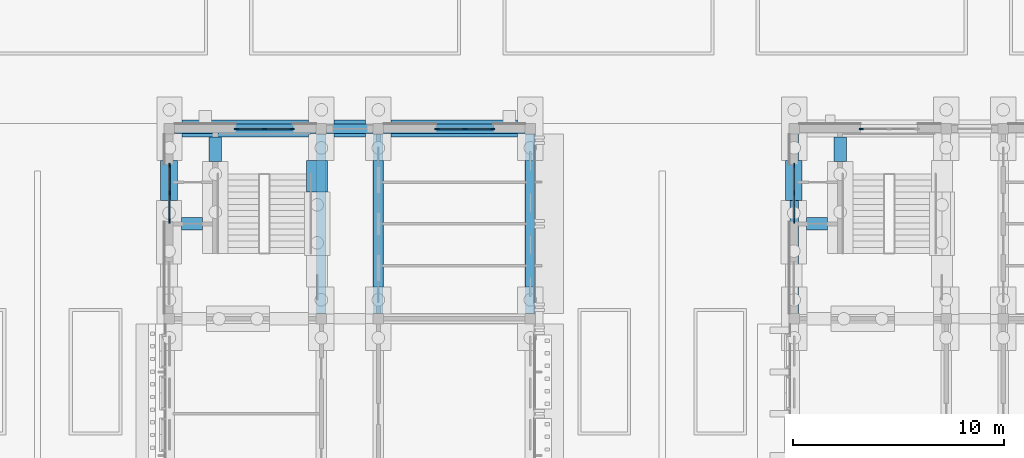
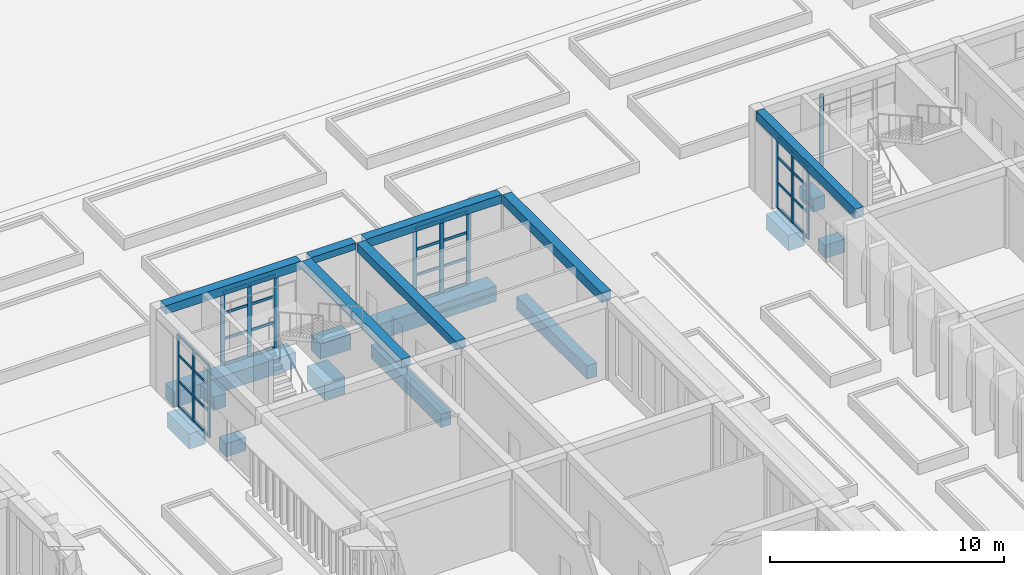
# One storey, part 38 of 161: 45 members, 19 beams, 5 elements without a shape of their own.
"""IFC4 building model written with IfcOpenShell, lengths in metres."""

from ifc_helpers import new_model, si_unit, direction, frame, origin, origin_2d, place, context, subcontext, project, spatial, rectangle, extrude, material, layer, layer_set, material_profile, profile_set, type_object, element, aggregate, save


model = new_model("IFC4")

# Units and contexts
model_context = context("Model", 3, precision=1e-05, world=origin(), true_north=direction((0.0, 1.0)))
body_context = subcontext(model_context, "Body", "Model", "MODEL_VIEW")
ifc_project = project(units=[si_unit("LENGTHUNIT", "METRE"), si_unit("AREAUNIT", "SQUARE_METRE"), si_unit("VOLUMEUNIT", "CUBIC_METRE"), si_unit("PLANEANGLEUNIT", "RADIAN"), si_unit("MASSUNIT", "GRAM", prefix="KILO")], contexts=[model_context])

# Site, building, storey
site_placement = place(None, origin())
site = spatial("IfcSite", under=ifc_project, at=site_placement, CompositionType="ELEMENT")
building_placement = place(site_placement, origin())
building = spatial("IfcBuilding", under=site, at=building_placement, Name="Elbe Cascade School", CompositionType="ELEMENT")
storey_placement = place(building_placement, origin())
storey = spatial("IfcBuildingStorey", under=building, at=storey_placement, Name="L00", CompositionType="ELEMENT", Elevation=0.0)

# Curtain wall, members
ifc_material_1 = material(Name="Aluminium frame with double glazing, bronze anodised", Category="aluminium")
ifc_layer = layer(ifc_material_1, 0.199951171875)
ifc_layer_set = layer_set([ifc_layer], Name="Aluminium frame with double glazing, bronze anodised")
curtain_wall_type = type_object("IfcCurtainWallType", Name="Bars envelope Curtain wall, aluminium, bronze anodised, ground floor tall run", PredefinedType="NOTDEFINED", material=ifc_layer_set)
curtain_wall_1_placement = place(storey_placement, origin())
curtain_wall_1 = element("IfcCurtainWall", 1, at=curtain_wall_1_placement, inside=storey, type_object=curtain_wall_type, Name="Curtain wall CW3 C.L00.w6", PredefinedType="NOTDEFINED")
ifc_material_2 = material(Name="Aluminium mullion, bronze anodised", Category="aluminium")
ifc_material_profile_1 = material_profile(ifc_material_2, rectangle(XDim=0.06005859375, YDim=0.199951171875, at=origin_2d()), Name="Bars envelope Curtain wall mullion 60 x 200, aluminium, ground floor tall run")
ifc_profile_set_1 = profile_set([ifc_material_profile_1], Name="Aluminium mullion, bronze anodised")
member_type_1 = type_object("IfcMemberType", Name="Bars envelope Curtain wall mullion 60 x 200, aluminium, ground floor tall run", PredefinedType="MULLION", material=ifc_profile_set_1)
member_1_placement = place(storey_placement, frame((128.199951171875, 55.639892578125, 0.0), z_axis=(0.0, 0.0, 1.0), x_axis=(-1.0, 0.0, 0.0)))
member_1 = element("IfcMember", 2, at=member_1_placement, type_object=member_type_1, Name="CW3 mullion 1", PredefinedType="MULLION", context=body_context, shape_type="SweptSolid", body=[
    extrude(rectangle(XDim=0.06005859375, YDim=0.199951171875, at=origin_2d()), origin(), (0.0, 0.0, 1.0), 3.75),
])
member_2_placement = place(storey_placement, frame((128.199951171875, 56.9599609375, 0.0), z_axis=(0.0, 0.0, 1.0), x_axis=(-1.0, 0.0, 0.0)))
member_2 = element("IfcMember", 3, at=member_2_placement, type_object=member_type_1, Name="CW3 mullion 2", PredefinedType="MULLION", context=body_context, shape_type="SweptSolid", body=[
    extrude(rectangle(XDim=0.06005859375, YDim=0.199951171875, at=origin_2d()), origin(), (0.0, 0.0, 1.0), 3.75),
])
member_3_placement = place(storey_placement, frame((128.199951171875, 58.280029296875, 0.0), z_axis=(0.0, 0.0, 1.0), x_axis=(-1.0, 0.0, 0.0)))
member_3 = element("IfcMember", 4, at=member_3_placement, type_object=member_type_1, Name="CW3 mullion 3", PredefinedType="MULLION", context=body_context, shape_type="SweptSolid", body=[
    extrude(rectangle(XDim=0.06005859375, YDim=0.199951171875, at=origin_2d()), origin(), (0.0, 0.0, 1.0), 3.75),
])

curtain_wall_2_placement = place(storey_placement, origin())
curtain_wall_2 = element("IfcCurtainWall", 5, at=curtain_wall_2_placement, inside=storey, type_object=curtain_wall_type, Name="Curtain wall CW3 C.L00.n1", PredefinedType="NOTDEFINED")
member_4_placement = place(storey_placement, frame((131.3798828125, 60.0, 0.0), z_axis=(0.0, 0.0, 1.0), x_axis=(0.0, 1.0, 0.0)))
member_4 = element("IfcMember", 6, at=member_4_placement, type_object=member_type_1, Name="CW3 mullion 1", PredefinedType="MULLION", context=body_context, shape_type="SweptSolid", body=[
    extrude(rectangle(XDim=0.06005859375, YDim=0.199951171875, at=origin_2d()), origin(), (0.0, 0.0, 1.0), 3.800048828125),
])
member_5_placement = place(storey_placement, frame((132.699951171875, 60.0, 0.0), z_axis=(0.0, 0.0, 1.0), x_axis=(0.0, 1.0, 0.0)))
member_5 = element("IfcMember", 7, at=member_5_placement, type_object=member_type_1, Name="CW3 mullion 2", PredefinedType="MULLION", context=body_context, shape_type="SweptSolid", body=[
    extrude(rectangle(XDim=0.06005859375, YDim=0.199951171875, at=origin_2d()), origin(), (0.0, 0.0, 1.0), 3.800048828125),
])
member_6_placement = place(storey_placement, frame((134.02001953125, 60.0, 0.0), z_axis=(0.0, 0.0, 1.0), x_axis=(0.0, 1.0, 0.0)))
member_6 = element("IfcMember", 8, at=member_6_placement, type_object=member_type_1, Name="CW3 mullion 3", PredefinedType="MULLION", context=body_context, shape_type="SweptSolid", body=[
    extrude(rectangle(XDim=0.06005859375, YDim=0.199951171875, at=origin_2d()), origin(), (0.0, 0.0, 1.0), 3.800048828125),
])

curtain_wall_3_placement = place(storey_placement, origin())
curtain_wall_3 = element("IfcCurtainWall", 9, at=curtain_wall_3_placement, inside=storey, type_object=curtain_wall_type, Name="Curtain wall CW3 C.L00.n3", PredefinedType="NOTDEFINED")
member_7_placement = place(storey_placement, frame((140.8798828125, 60.0, 0.0), z_axis=(0.0, 0.0, 1.0), x_axis=(0.0, 1.0, 0.0)))
member_7 = element("IfcMember", 10, at=member_7_placement, type_object=member_type_1, Name="CW3 mullion 1", PredefinedType="MULLION", context=body_context, shape_type="SweptSolid", body=[
    extrude(rectangle(XDim=0.06005859375, YDim=0.199951171875, at=origin_2d()), origin(), (0.0, 0.0, 1.0), 3.800048828125),
])
member_8_placement = place(storey_placement, frame((142.199951171875, 60.0, 0.0), z_axis=(0.0, 0.0, 1.0), x_axis=(0.0, 1.0, 0.0)))
member_8 = element("IfcMember", 11, at=member_8_placement, type_object=member_type_1, Name="CW3 mullion 2", PredefinedType="MULLION", context=body_context, shape_type="SweptSolid", body=[
    extrude(rectangle(XDim=0.06005859375, YDim=0.199951171875, at=origin_2d()), origin(), (0.0, 0.0, 1.0), 3.800048828125),
])
member_9_placement = place(storey_placement, frame((143.52001953125, 60.0, 0.0), z_axis=(0.0, 0.0, 1.0), x_axis=(0.0, 1.0, 0.0)))
member_9 = element("IfcMember", 12, at=member_9_placement, type_object=member_type_1, Name="CW3 mullion 3", PredefinedType="MULLION", context=body_context, shape_type="SweptSolid", body=[
    extrude(rectangle(XDim=0.06005859375, YDim=0.199951171875, at=origin_2d()), origin(), (0.0, 0.0, 1.0), 3.800048828125),
])

curtain_wall_4_placement = place(storey_placement, origin())
curtain_wall_4 = element("IfcCurtainWall", 13, at=curtain_wall_4_placement, inside=storey, type_object=curtain_wall_type, Name="Curtain wall CW3 D.L00.w6", PredefinedType="NOTDEFINED")
member_10_placement = place(storey_placement, frame((157.800048828125, 55.639892578125, 0.0), z_axis=(0.0, 0.0, 1.0), x_axis=(-1.0, 0.0, 0.0)))
member_10 = element("IfcMember", 14, at=member_10_placement, type_object=member_type_1, Name="CW3 mullion 1", PredefinedType="MULLION", context=body_context, shape_type="SweptSolid", body=[
    extrude(rectangle(XDim=0.06005859375, YDim=0.199951171875, at=origin_2d()), origin(), (0.0, 0.0, 1.0), 3.75),
])
member_11_placement = place(storey_placement, frame((157.800048828125, 56.9599609375, 0.0), z_axis=(0.0, 0.0, 1.0), x_axis=(-1.0, 0.0, 0.0)))
member_11 = element("IfcMember", 15, at=member_11_placement, type_object=member_type_1, Name="CW3 mullion 2", PredefinedType="MULLION", context=body_context, shape_type="SweptSolid", body=[
    extrude(rectangle(XDim=0.06005859375, YDim=0.199951171875, at=origin_2d()), origin(), (0.0, 0.0, 1.0), 3.75),
])
member_12_placement = place(storey_placement, frame((157.800048828125, 58.280029296875, 0.0), z_axis=(0.0, 0.0, 1.0), x_axis=(-1.0, 0.0, 0.0)))
member_12 = element("IfcMember", 16, at=member_12_placement, type_object=member_type_1, Name="CW3 mullion 3", PredefinedType="MULLION", context=body_context, shape_type="SweptSolid", body=[
    extrude(rectangle(XDim=0.06005859375, YDim=0.199951171875, at=origin_2d()), origin(), (0.0, 0.0, 1.0), 3.75),
])

# Curtain wall, member
curtain_wall_5_placement = place(storey_placement, origin())
curtain_wall_5 = element("IfcCurtainWall", 17, at=curtain_wall_5_placement, inside=storey, type_object=curtain_wall_type, Name="Curtain wall CW3 D.L00.n1", PredefinedType="NOTDEFINED")
member_13_placement = place(storey_placement, frame((160.97998046875, 60.0, 0.0), z_axis=(0.0, 0.0, 1.0), x_axis=(0.0, 1.0, 0.0)))
member_13 = element("IfcMember", 18, at=member_13_placement, type_object=member_type_1, Name="CW3 mullion 1", PredefinedType="MULLION", context=body_context, shape_type="SweptSolid", body=[
    extrude(rectangle(XDim=0.06005859375, YDim=0.199951171875, at=origin_2d()), origin(), (0.0, 0.0, 1.0), 3.800048828125),
])
aggregate(curtain_wall_5, [member_13])

# Member
ifc_material_3 = material(Name="Aluminium transom, bronze anodised", Category="aluminium")
ifc_material_profile_2 = material_profile(ifc_material_3, rectangle(XDim=0.06005859375, YDim=0.139892578125, at=origin_2d()), Name="Bars envelope Curtain wall transom 60 x 140, aluminium, ground floor tall run")
ifc_profile_set_2 = profile_set([ifc_material_profile_2], Name="Aluminium transom, bronze anodised")
member_type_2 = type_object("IfcMemberType", Name="Bars envelope Curtain wall transom 60 x 140, aluminium, ground floor tall run", PredefinedType="USERDEFINED", material=ifc_profile_set_2)
member_14_placement = place(storey_placement, frame((128.199951171875, 55.669921875, 0.030029296875), z_axis=(0.0, 1.0, 0.0), x_axis=(-1.0, 0.0, 0.0)))
member_14 = element("IfcMember", 19, at=member_14_placement, type_object=member_type_2, Name="CW3 transom 1.1", ObjectType="TRANSOM", PredefinedType="USERDEFINED", context=body_context, shape_type="SweptSolid", body=[
    extrude(rectangle(XDim=0.06005859375, YDim=0.139892578125, at=origin_2d()), origin(), (0.0, 0.0, 1.0), 1.260009765625),
])

member_15_placement = place(storey_placement, frame((128.199951171875, 55.669921875, 1.35009765625), z_axis=(0.0, 1.0, 0.0), x_axis=(-1.0, 0.0, 0.0)))
member_15 = element("IfcMember", 20, at=member_15_placement, type_object=member_type_2, Name="CW3 transom 1.2", ObjectType="TRANSOM", PredefinedType="USERDEFINED", context=body_context, shape_type="SweptSolid", body=[
    extrude(rectangle(XDim=0.06005859375, YDim=0.139892578125, at=origin_2d()), origin(), (0.0, 0.0, 1.0), 1.260009765625),
])

member_16_placement = place(storey_placement, frame((128.199951171875, 55.669921875, 2.699951171875), z_axis=(0.0, 1.0, 0.0), x_axis=(-1.0, 0.0, 0.0)))
member_16 = element("IfcMember", 21, at=member_16_placement, type_object=member_type_2, Name="CW3 transom 1.3", ObjectType="TRANSOM", PredefinedType="USERDEFINED", context=body_context, shape_type="SweptSolid", body=[
    extrude(rectangle(XDim=0.06005859375, YDim=0.139892578125, at=origin_2d()), origin(), (0.0, 0.0, 1.0), 1.260009765625),
])

member_17_placement = place(storey_placement, frame((128.199951171875, 55.669921875, 3.719970703125), z_axis=(0.0, 1.0, 0.0), x_axis=(-1.0, 0.0, 0.0)))
member_17 = element("IfcMember", 22, at=member_17_placement, type_object=member_type_2, Name="CW3 transom 1.4", ObjectType="TRANSOM", PredefinedType="USERDEFINED", context=body_context, shape_type="SweptSolid", body=[
    extrude(rectangle(XDim=0.06005859375, YDim=0.139892578125, at=origin_2d()), origin(), (0.0, 0.0, 1.0), 1.260009765625),
])

member_18_placement = place(storey_placement, frame((128.199951171875, 56.989990234375, 0.030029296875), z_axis=(0.0, 1.0, 0.0), x_axis=(-1.0, 0.0, 0.0)))
member_18 = element("IfcMember", 23, at=member_18_placement, type_object=member_type_2, Name="CW3 transom 2.1", ObjectType="TRANSOM", PredefinedType="USERDEFINED", context=body_context, shape_type="SweptSolid", body=[
    extrude(rectangle(XDim=0.06005859375, YDim=0.139892578125, at=origin_2d()), origin(), (0.0, 0.0, 1.0), 1.260009765625),
])

member_19_placement = place(storey_placement, frame((128.199951171875, 56.989990234375, 1.35009765625), z_axis=(0.0, 1.0, 0.0), x_axis=(-1.0, 0.0, 0.0)))
member_19 = element("IfcMember", 24, at=member_19_placement, type_object=member_type_2, Name="CW3 transom 2.2", ObjectType="TRANSOM", PredefinedType="USERDEFINED", context=body_context, shape_type="SweptSolid", body=[
    extrude(rectangle(XDim=0.06005859375, YDim=0.139892578125, at=origin_2d()), origin(), (0.0, 0.0, 1.0), 1.260009765625),
])

member_20_placement = place(storey_placement, frame((128.199951171875, 56.989990234375, 2.699951171875), z_axis=(0.0, 1.0, 0.0), x_axis=(-1.0, 0.0, 0.0)))
member_20 = element("IfcMember", 25, at=member_20_placement, type_object=member_type_2, Name="CW3 transom 2.3", ObjectType="TRANSOM", PredefinedType="USERDEFINED", context=body_context, shape_type="SweptSolid", body=[
    extrude(rectangle(XDim=0.06005859375, YDim=0.139892578125, at=origin_2d()), origin(), (0.0, 0.0, 1.0), 1.260009765625),
])

member_21_placement = place(storey_placement, frame((128.199951171875, 56.989990234375, 3.719970703125), z_axis=(0.0, 1.0, 0.0), x_axis=(-1.0, 0.0, 0.0)))
member_21 = element("IfcMember", 26, at=member_21_placement, type_object=member_type_2, Name="CW3 transom 2.4", ObjectType="TRANSOM", PredefinedType="USERDEFINED", context=body_context, shape_type="SweptSolid", body=[
    extrude(rectangle(XDim=0.06005859375, YDim=0.139892578125, at=origin_2d()), origin(), (0.0, 0.0, 1.0), 1.260009765625),
])

aggregate(curtain_wall_1, [member_1, member_2, member_3, member_14, member_15, member_16, member_17, member_18, member_19, member_20, member_21])

member_22_placement = place(storey_placement, frame((131.409912109375, 60.0, 0.030029296875), z_axis=(1.0, 0.0, 0.0), x_axis=(0.0, 1.0, 0.0)))
member_22 = element("IfcMember", 27, at=member_22_placement, type_object=member_type_2, Name="CW3 transom 1.1", ObjectType="TRANSOM", PredefinedType="USERDEFINED", context=body_context, shape_type="SweptSolid", body=[
    extrude(rectangle(XDim=0.06005859375, YDim=0.139892578125, at=origin_2d()), origin(), (0.0, 0.0, 1.0), 1.260009765625),
])

member_23_placement = place(storey_placement, frame((131.409912109375, 60.0, 1.35009765625), z_axis=(1.0, 0.0, 0.0), x_axis=(0.0, 1.0, 0.0)))
member_23 = element("IfcMember", 28, at=member_23_placement, type_object=member_type_2, Name="CW3 transom 1.2", ObjectType="TRANSOM", PredefinedType="USERDEFINED", context=body_context, shape_type="SweptSolid", body=[
    extrude(rectangle(XDim=0.06005859375, YDim=0.139892578125, at=origin_2d()), origin(), (0.0, 0.0, 1.0), 1.260009765625),
])

member_24_placement = place(storey_placement, frame((131.409912109375, 60.0, 2.699951171875), z_axis=(1.0, 0.0, 0.0), x_axis=(0.0, 1.0, 0.0)))
member_24 = element("IfcMember", 29, at=member_24_placement, type_object=member_type_2, Name="CW3 transom 1.3", ObjectType="TRANSOM", PredefinedType="USERDEFINED", context=body_context, shape_type="SweptSolid", body=[
    extrude(rectangle(XDim=0.06005859375, YDim=0.139892578125, at=origin_2d()), origin(), (0.0, 0.0, 1.0), 1.260009765625),
])

member_25_placement = place(storey_placement, frame((131.409912109375, 60.0, 3.77001953125), z_axis=(1.0, 0.0, 0.0), x_axis=(0.0, 1.0, 0.0)))
member_25 = element("IfcMember", 30, at=member_25_placement, type_object=member_type_2, Name="CW3 transom 1.4", ObjectType="TRANSOM", PredefinedType="USERDEFINED", context=body_context, shape_type="SweptSolid", body=[
    extrude(rectangle(XDim=0.06005859375, YDim=0.139892578125, at=origin_2d()), origin(), (0.0, 0.0, 1.0), 1.260009765625),
])

member_26_placement = place(storey_placement, frame((132.72998046875, 60.0, 0.030029296875), z_axis=(1.0, 0.0, 0.0), x_axis=(0.0, 1.0, 0.0)))
member_26 = element("IfcMember", 31, at=member_26_placement, type_object=member_type_2, Name="CW3 transom 2.1", ObjectType="TRANSOM", PredefinedType="USERDEFINED", context=body_context, shape_type="SweptSolid", body=[
    extrude(rectangle(XDim=0.06005859375, YDim=0.139892578125, at=origin_2d()), origin(), (0.0, 0.0, 1.0), 1.260009765625),
])

member_27_placement = place(storey_placement, frame((132.72998046875, 60.0, 1.35009765625), z_axis=(1.0, 0.0, 0.0), x_axis=(0.0, 1.0, 0.0)))
member_27 = element("IfcMember", 32, at=member_27_placement, type_object=member_type_2, Name="CW3 transom 2.2", ObjectType="TRANSOM", PredefinedType="USERDEFINED", context=body_context, shape_type="SweptSolid", body=[
    extrude(rectangle(XDim=0.06005859375, YDim=0.139892578125, at=origin_2d()), origin(), (0.0, 0.0, 1.0), 1.260009765625),
])

member_28_placement = place(storey_placement, frame((132.72998046875, 60.0, 2.699951171875), z_axis=(1.0, 0.0, 0.0), x_axis=(0.0, 1.0, 0.0)))
member_28 = element("IfcMember", 33, at=member_28_placement, type_object=member_type_2, Name="CW3 transom 2.3", ObjectType="TRANSOM", PredefinedType="USERDEFINED", context=body_context, shape_type="SweptSolid", body=[
    extrude(rectangle(XDim=0.06005859375, YDim=0.139892578125, at=origin_2d()), origin(), (0.0, 0.0, 1.0), 1.260009765625),
])

member_29_placement = place(storey_placement, frame((132.72998046875, 60.0, 3.77001953125), z_axis=(1.0, 0.0, 0.0), x_axis=(0.0, 1.0, 0.0)))
member_29 = element("IfcMember", 34, at=member_29_placement, type_object=member_type_2, Name="CW3 transom 2.4", ObjectType="TRANSOM", PredefinedType="USERDEFINED", context=body_context, shape_type="SweptSolid", body=[
    extrude(rectangle(XDim=0.06005859375, YDim=0.139892578125, at=origin_2d()), origin(), (0.0, 0.0, 1.0), 1.260009765625),
])

aggregate(curtain_wall_2, [member_4, member_5, member_6, member_22, member_23, member_24, member_25, member_26, member_27, member_28, member_29])

member_30_placement = place(storey_placement, frame((140.909912109375, 60.0, 0.030029296875), z_axis=(1.0, 0.0, 0.0), x_axis=(0.0, 1.0, 0.0)))
member_30 = element("IfcMember", 35, at=member_30_placement, type_object=member_type_2, Name="CW3 transom 1.1", ObjectType="TRANSOM", PredefinedType="USERDEFINED", context=body_context, shape_type="SweptSolid", body=[
    extrude(rectangle(XDim=0.06005859375, YDim=0.139892578125, at=origin_2d()), origin(), (0.0, 0.0, 1.0), 1.260009765625),
])

member_31_placement = place(storey_placement, frame((140.909912109375, 60.0, 1.35009765625), z_axis=(1.0, 0.0, 0.0), x_axis=(0.0, 1.0, 0.0)))
member_31 = element("IfcMember", 36, at=member_31_placement, type_object=member_type_2, Name="CW3 transom 1.2", ObjectType="TRANSOM", PredefinedType="USERDEFINED", context=body_context, shape_type="SweptSolid", body=[
    extrude(rectangle(XDim=0.06005859375, YDim=0.139892578125, at=origin_2d()), origin(), (0.0, 0.0, 1.0), 1.260009765625),
])

member_32_placement = place(storey_placement, frame((140.909912109375, 60.0, 2.699951171875), z_axis=(1.0, 0.0, 0.0), x_axis=(0.0, 1.0, 0.0)))
member_32 = element("IfcMember", 37, at=member_32_placement, type_object=member_type_2, Name="CW3 transom 1.3", ObjectType="TRANSOM", PredefinedType="USERDEFINED", context=body_context, shape_type="SweptSolid", body=[
    extrude(rectangle(XDim=0.06005859375, YDim=0.139892578125, at=origin_2d()), origin(), (0.0, 0.0, 1.0), 1.260009765625),
])

member_33_placement = place(storey_placement, frame((140.909912109375, 60.0, 3.77001953125), z_axis=(1.0, 0.0, 0.0), x_axis=(0.0, 1.0, 0.0)))
member_33 = element("IfcMember", 38, at=member_33_placement, type_object=member_type_2, Name="CW3 transom 1.4", ObjectType="TRANSOM", PredefinedType="USERDEFINED", context=body_context, shape_type="SweptSolid", body=[
    extrude(rectangle(XDim=0.06005859375, YDim=0.139892578125, at=origin_2d()), origin(), (0.0, 0.0, 1.0), 1.260009765625),
])

member_34_placement = place(storey_placement, frame((142.22998046875, 60.0, 0.030029296875), z_axis=(1.0, 0.0, 0.0), x_axis=(0.0, 1.0, 0.0)))
member_34 = element("IfcMember", 39, at=member_34_placement, type_object=member_type_2, Name="CW3 transom 2.1", ObjectType="TRANSOM", PredefinedType="USERDEFINED", context=body_context, shape_type="SweptSolid", body=[
    extrude(rectangle(XDim=0.06005859375, YDim=0.139892578125, at=origin_2d()), origin(), (0.0, 0.0, 1.0), 1.260009765625),
])

member_35_placement = place(storey_placement, frame((142.22998046875, 60.0, 1.35009765625), z_axis=(1.0, 0.0, 0.0), x_axis=(0.0, 1.0, 0.0)))
member_35 = element("IfcMember", 40, at=member_35_placement, type_object=member_type_2, Name="CW3 transom 2.2", ObjectType="TRANSOM", PredefinedType="USERDEFINED", context=body_context, shape_type="SweptSolid", body=[
    extrude(rectangle(XDim=0.06005859375, YDim=0.139892578125, at=origin_2d()), origin(), (0.0, 0.0, 1.0), 1.260009765625),
])

member_36_placement = place(storey_placement, frame((142.22998046875, 60.0, 2.699951171875), z_axis=(1.0, 0.0, 0.0), x_axis=(0.0, 1.0, 0.0)))
member_36 = element("IfcMember", 41, at=member_36_placement, type_object=member_type_2, Name="CW3 transom 2.3", ObjectType="TRANSOM", PredefinedType="USERDEFINED", context=body_context, shape_type="SweptSolid", body=[
    extrude(rectangle(XDim=0.06005859375, YDim=0.139892578125, at=origin_2d()), origin(), (0.0, 0.0, 1.0), 1.260009765625),
])

member_37_placement = place(storey_placement, frame((142.22998046875, 60.0, 3.77001953125), z_axis=(1.0, 0.0, 0.0), x_axis=(0.0, 1.0, 0.0)))
member_37 = element("IfcMember", 42, at=member_37_placement, type_object=member_type_2, Name="CW3 transom 2.4", ObjectType="TRANSOM", PredefinedType="USERDEFINED", context=body_context, shape_type="SweptSolid", body=[
    extrude(rectangle(XDim=0.06005859375, YDim=0.139892578125, at=origin_2d()), origin(), (0.0, 0.0, 1.0), 1.260009765625),
])

aggregate(curtain_wall_3, [member_7, member_8, member_9, member_30, member_31, member_32, member_33, member_34, member_35, member_36, member_37])

member_38_placement = place(storey_placement, frame((157.800048828125, 55.669921875, 0.030029296875), z_axis=(0.0, 1.0, 0.0), x_axis=(-1.0, 0.0, 0.0)))
member_38 = element("IfcMember", 43, at=member_38_placement, type_object=member_type_2, Name="CW3 transom 1.1", ObjectType="TRANSOM", PredefinedType="USERDEFINED", context=body_context, shape_type="SweptSolid", body=[
    extrude(rectangle(XDim=0.06005859375, YDim=0.139892578125, at=origin_2d()), origin(), (0.0, 0.0, 1.0), 1.260009765625),
])

member_39_placement = place(storey_placement, frame((157.800048828125, 55.669921875, 1.35009765625), z_axis=(0.0, 1.0, 0.0), x_axis=(-1.0, 0.0, 0.0)))
member_39 = element("IfcMember", 44, at=member_39_placement, type_object=member_type_2, Name="CW3 transom 1.2", ObjectType="TRANSOM", PredefinedType="USERDEFINED", context=body_context, shape_type="SweptSolid", body=[
    extrude(rectangle(XDim=0.06005859375, YDim=0.139892578125, at=origin_2d()), origin(), (0.0, 0.0, 1.0), 1.260009765625),
])

member_40_placement = place(storey_placement, frame((157.800048828125, 55.669921875, 2.699951171875), z_axis=(0.0, 1.0, 0.0), x_axis=(-1.0, 0.0, 0.0)))
member_40 = element("IfcMember", 45, at=member_40_placement, type_object=member_type_2, Name="CW3 transom 1.3", ObjectType="TRANSOM", PredefinedType="USERDEFINED", context=body_context, shape_type="SweptSolid", body=[
    extrude(rectangle(XDim=0.06005859375, YDim=0.139892578125, at=origin_2d()), origin(), (0.0, 0.0, 1.0), 1.260009765625),
])

member_41_placement = place(storey_placement, frame((157.800048828125, 55.669921875, 3.719970703125), z_axis=(0.0, 1.0, 0.0), x_axis=(-1.0, 0.0, 0.0)))
member_41 = element("IfcMember", 46, at=member_41_placement, type_object=member_type_2, Name="CW3 transom 1.4", ObjectType="TRANSOM", PredefinedType="USERDEFINED", context=body_context, shape_type="SweptSolid", body=[
    extrude(rectangle(XDim=0.06005859375, YDim=0.139892578125, at=origin_2d()), origin(), (0.0, 0.0, 1.0), 1.260009765625),
])

member_42_placement = place(storey_placement, frame((157.800048828125, 56.989990234375, 0.030029296875), z_axis=(0.0, 1.0, 0.0), x_axis=(-1.0, 0.0, 0.0)))
member_42 = element("IfcMember", 47, at=member_42_placement, type_object=member_type_2, Name="CW3 transom 2.1", ObjectType="TRANSOM", PredefinedType="USERDEFINED", context=body_context, shape_type="SweptSolid", body=[
    extrude(rectangle(XDim=0.06005859375, YDim=0.139892578125, at=origin_2d()), origin(), (0.0, 0.0, 1.0), 1.260009765625),
])

member_43_placement = place(storey_placement, frame((157.800048828125, 56.989990234375, 1.35009765625), z_axis=(0.0, 1.0, 0.0), x_axis=(-1.0, 0.0, 0.0)))
member_43 = element("IfcMember", 48, at=member_43_placement, type_object=member_type_2, Name="CW3 transom 2.2", ObjectType="TRANSOM", PredefinedType="USERDEFINED", context=body_context, shape_type="SweptSolid", body=[
    extrude(rectangle(XDim=0.06005859375, YDim=0.139892578125, at=origin_2d()), origin(), (0.0, 0.0, 1.0), 1.260009765625),
])

member_44_placement = place(storey_placement, frame((157.800048828125, 56.989990234375, 2.699951171875), z_axis=(0.0, 1.0, 0.0), x_axis=(-1.0, 0.0, 0.0)))
member_44 = element("IfcMember", 49, at=member_44_placement, type_object=member_type_2, Name="CW3 transom 2.3", ObjectType="TRANSOM", PredefinedType="USERDEFINED", context=body_context, shape_type="SweptSolid", body=[
    extrude(rectangle(XDim=0.06005859375, YDim=0.139892578125, at=origin_2d()), origin(), (0.0, 0.0, 1.0), 1.260009765625),
])

member_45_placement = place(storey_placement, frame((157.800048828125, 56.989990234375, 3.719970703125), z_axis=(0.0, 1.0, 0.0), x_axis=(-1.0, 0.0, 0.0)))
member_45 = element("IfcMember", 50, at=member_45_placement, type_object=member_type_2, Name="CW3 transom 2.4", ObjectType="TRANSOM", PredefinedType="USERDEFINED", context=body_context, shape_type="SweptSolid", body=[
    extrude(rectangle(XDim=0.06005859375, YDim=0.139892578125, at=origin_2d()), origin(), (0.0, 0.0, 1.0), 1.260009765625),
])

aggregate(curtain_wall_4, [member_10, member_11, member_12, member_38, member_39, member_40, member_41, member_42, member_43, member_44, member_45])

# Beams
ifc_material_4 = material(Name="Concrete C30/37", Category="concrete")
ifc_material_profile_3 = material_profile(ifc_material_4, rectangle(XDim=1.0, YDim=0.89990234375, at=origin_2d()), Name="RC 1000x900")
ifc_profile_set_3 = profile_set([ifc_material_profile_3], Name="Concrete C30/37")
beam_type_1 = type_object("IfcBeamType", Name="Found ground beam RC 1000x900", PredefinedType="BEAM", material=ifc_profile_set_3)
beam_1_placement = place(storey_placement, frame((135.199951171875, 57.0, -0.75), z_axis=(0.0, 1.0, 0.0), x_axis=(-1.0, 0.0, 0.0)))
element("IfcBeam", 51, at=beam_1_placement, inside=storey, type_object=beam_type_1, Name="Ground beam 045", PredefinedType="BEAM", context=body_context, shape_type="SweptSolid", body=[
    extrude(rectangle(XDim=1.0, YDim=0.89990234375, at=origin_2d()), origin(), (0.0, 0.0, 1.0), 1.5),
])
ifc_material_5 = material(Name="Concrete C30/37", Category="concrete")
ifc_material_profile_4 = material_profile(ifc_material_5, rectangle(XDim=0.5, YDim=0.699951171875, at=origin_2d()), Name="RC 500x700")
ifc_profile_set_4 = profile_set([ifc_material_profile_4], Name="Concrete C30/37")
beam_type_2 = type_object("IfcBeamType", Name="Found ground beam RC 500x700", PredefinedType="BEAM", material=ifc_profile_set_4)
for number, where, z_axis, x_axis, name in (
    (52, (138.10009765625, 52.5, -0.64990234375), (0.0, 1.0, 0.0), (-1.0, 0.0, 0.0), "Ground beam 279"),
    (53, (145.300048828125, 52.5, -0.64990234375), (0.0, 1.0, 0.0), (-1.0, 0.0, 0.0), "Ground beam 285"),
):
    element("IfcBeam", number, at=place(storey_placement, frame(where, z_axis=z_axis, x_axis=x_axis)), inside=storey, type_object=beam_type_2, Name=name, PredefinedType="BEAM", context=body_context, shape_type="SweptSolid", body=[
        extrude(rectangle(XDim=0.5, YDim=0.699951171875, at=origin_2d()), origin(), (0.0, 0.0, 1.0), 6.0),
    ])
ifc_material_6 = material(Name="Concrete C30/37", Category="concrete")
ifc_material_profile_5 = material_profile(ifc_material_6, rectangle(XDim=0.60009765625, YDim=0.699951171875, at=origin_2d()), Name="RC 600x700")
ifc_profile_set_5 = profile_set([ifc_material_profile_5], Name="Concrete C30/37")
beam_type_3 = type_object("IfcBeamType", Name="Found ground beam RC 600x700", PredefinedType="BEAM", material=ifc_profile_set_5)
for number, where, z_axis, x_axis, name in (
    (54, (130.375, 58.4599609375, -0.64990234375), (0.0, 1.0, 0.0), (-1.0, 0.0, 0.0), "Ground beam 162"),
    (55, (159.97509765625, 58.4599609375, -0.64990234375), (0.0, 1.0, 0.0), (-1.0, 0.0, 0.0), "Ground beam 163"),
):
    element("IfcBeam", number, at=place(storey_placement, frame(where, z_axis=z_axis, x_axis=x_axis)), inside=storey, type_object=beam_type_3, Name=name, PredefinedType="BEAM", context=body_context, shape_type="SweptSolid", body=[
        extrude(rectangle(XDim=0.60009765625, YDim=0.699951171875, at=origin_2d()), origin(), (0.0, 0.0, 1.0), 1.16015625),
    ])
beam_2_placement = place(storey_placement, frame((128.780029296875, 55.5, -0.64990234375), z_axis=(1.0, 0.0, 0.0), x_axis=(0.0, 1.0, 0.0)))
element("IfcBeam", 56, at=beam_2_placement, inside=storey, type_object=beam_type_3, Name="Ground beam 171", PredefinedType="BEAM", context=body_context, shape_type="SweptSolid", body=[
    extrude(rectangle(XDim=0.60009765625, YDim=0.699951171875, at=origin_2d()), origin(), (0.0, 0.0, 1.0), 0.994873046875),
])
beam_3_placement = place(storey_placement, frame((158.3798828125, 55.5, -0.64990234375), z_axis=(1.0, 0.0, 0.0), x_axis=(0.0, 1.0, 0.0)))
element("IfcBeam", 57, at=beam_3_placement, inside=storey, type_object=beam_type_3, Name="Ground beam 173", PredefinedType="BEAM", context=body_context, shape_type="SweptSolid", body=[
    extrude(rectangle(XDim=0.60009765625, YDim=0.699951171875, at=origin_2d()), origin(), (0.0, 0.0, 1.0), 0.9951171875),
])
ifc_material_7 = material(Name="Concrete C30/37", Category="concrete")
ifc_material_profile_6 = material_profile(ifc_material_7, rectangle(XDim=0.800048828125, YDim=0.800048828125, at=origin_2d()), Name="RC 800x800")
ifc_profile_set_6 = profile_set([ifc_material_profile_6], Name="Concrete C30/37")
beam_type_4 = type_object("IfcBeamType", Name="Found ground beam RC 800x800", PredefinedType="BEAM", material=ifc_profile_set_6)
beam_4_placement = place(storey_placement, frame((128.800048828125, 60.02001953125, -0.699951171875), z_axis=(1.0, 0.0, 0.0), x_axis=(0.0, 1.0, 0.0)))
element("IfcBeam", 58, at=beam_4_placement, inside=storey, type_object=beam_type_4, Name="Ground beam 056", PredefinedType="BEAM", context=body_context, shape_type="SweptSolid", body=[
    extrude(rectangle(XDim=0.800048828125, YDim=0.800048828125, at=origin_2d()), origin(), (0.0, 0.0, 1.0), 6.0),
])
beam_5_placement = place(storey_placement, frame((136.0, 60.02001953125, -0.699951171875), z_axis=(1.0, 0.0, 0.0), x_axis=(0.0, 1.0, 0.0)))
element("IfcBeam", 59, at=beam_5_placement, inside=storey, type_object=beam_type_4, Name="Ground beam 057", PredefinedType="BEAM", context=body_context, shape_type="SweptSolid", body=[
    extrude(rectangle(XDim=0.800048828125, YDim=0.800048828125, at=origin_2d()), origin(), (0.0, 0.0, 1.0), 1.5),
])
beam_6_placement = place(storey_placement, frame((138.699951171875, 60.02001953125, -0.699951171875), z_axis=(1.0, 0.0, 0.0), x_axis=(0.0, 1.0, 0.0)))
element("IfcBeam", 60, at=beam_6_placement, inside=storey, type_object=beam_type_4, Name="Ground beam 058", PredefinedType="BEAM", context=body_context, shape_type="SweptSolid", body=[
    extrude(rectangle(XDim=0.800048828125, YDim=0.800048828125, at=origin_2d()), origin(), (0.0, 0.0, 1.0), 6.0),
])
for number, where, z_axis, x_axis, name in (
    (61, (128.179931640625, 56.610107421875, -0.699951171875), (0.0, 1.0, 0.0), (-1.0, 0.0, 0.0), "Ground beam 071"),
    (62, (157.780029296875, 56.610107421875, -0.699951171875), (0.0, 1.0, 0.0), (-1.0, 0.0, 0.0), "Ground beam 075"),
):
    element("IfcBeam", number, at=place(storey_placement, frame(where, z_axis=z_axis, x_axis=x_axis)), inside=storey, type_object=beam_type_4, Name=name, PredefinedType="BEAM", context=body_context, shape_type="SweptSolid", body=[
        extrude(rectangle(XDim=0.800048828125, YDim=0.800048828125, at=origin_2d()), origin(), (0.0, 0.0, 1.0), 1.889892578125),
    ])
ifc_material_8 = material(Name="Concrete C30/37", Category="concrete")
ifc_material_profile_7 = material_profile(ifc_material_8, rectangle(XDim=0.39990234375, YDim=0.5, at=origin_2d()), Name="RC 400x500")
ifc_profile_set_7 = profile_set([ifc_material_profile_7], Name="Concrete C30/37")
beam_type_5 = type_object("IfcBeamType", Name="RC 400x500 beam", PredefinedType="BEAM", material=ifc_profile_set_7)
beam_7_placement = place(storey_placement, frame((157.800048828125, 51.25, 4.0), z_axis=(0.0, 1.0, 0.0), x_axis=(-1.0, 0.0, 0.0)))
element("IfcBeam", 63, at=beam_7_placement, inside=storey, type_object=beam_type_5, Name="RC 400x500 beam B1", PredefinedType="BEAM", context=body_context, shape_type="SweptSolid", body=[
    extrude(rectangle(XDim=0.39990234375, YDim=0.5, at=origin_2d()), origin(), (0.0, 0.0, 1.0), 8.5),
])
ifc_material_9 = material(Name="Concrete C30/37", Category="concrete")
ifc_material_profile_8 = material_profile(ifc_material_9, rectangle(XDim=0.449951171875, YDim=0.35009765625, at=origin_2d()), Name="RC 450x350")
ifc_profile_set_8 = profile_set([ifc_material_profile_8], Name="Concrete C30/37")
beam_type_6 = type_object("IfcBeamType", Name="RC 450x350 beam", PredefinedType="BEAM", material=ifc_profile_set_8)
beam_8_placement = place(storey_placement, frame((135.64990234375, 60.0, 4.074951171875), z_axis=(1.0, 0.0, 0.0), x_axis=(0.0, 1.0, 0.0)))
element("IfcBeam", 64, at=beam_8_placement, inside=storey, type_object=beam_type_6, Name="RC 450x350 beam B11", PredefinedType="BEAM", context=body_context, shape_type="SweptSolid", body=[
    extrude(rectangle(XDim=0.449951171875, YDim=0.35009765625, at=origin_2d()), origin(), (0.0, 0.0, 1.0), 2.2001953125),
])
ifc_material_10 = material(Name="Concrete C30/37", Category="concrete")
ifc_material_profile_9 = material_profile(ifc_material_10, rectangle(XDim=0.449951171875, YDim=0.449951171875, at=origin_2d()), Name="RC 450x450")
ifc_profile_set_9 = profile_set([ifc_material_profile_9], Name="Concrete C30/37")
beam_type_7 = type_object("IfcBeamType", Name="RC 450x450 beam", PredefinedType="BEAM", material=ifc_profile_set_9)
for number, where, z_axis, x_axis, name in (
    (65, (135.39990234375, 51.25, 4.02490234375), (0.0, 1.0, 0.0), (-1.0, 0.0, 0.0), "RC 450x450 beam B10"),
    (66, (138.10009765625, 51.25, 4.02490234375), (0.0, 1.0, 0.0), (-1.0, 0.0, 0.0), "RC 450x450 beam B10"),
):
    element("IfcBeam", number, at=place(storey_placement, frame(where, z_axis=z_axis, x_axis=x_axis)), inside=storey, type_object=beam_type_7, Name=name, PredefinedType="BEAM", context=body_context, shape_type="SweptSolid", body=[
        extrude(rectangle(XDim=0.449951171875, YDim=0.449951171875, at=origin_2d()), origin(), (0.0, 0.0, 1.0), 8.5),
    ])
for number, where, z_axis, x_axis, name in (
    (67, (128.449951171875, 60.0, 4.02490234375), (1.0, 0.0, 0.0), (0.0, 1.0, 0.0), "RC 450x450 beam B10"),
    (68, (138.35009765625, 60.0, 4.02490234375), (1.0, 0.0, 0.0), (0.0, 1.0, 0.0), "RC 450x450 beam B10"),
):
    element("IfcBeam", number, at=place(storey_placement, frame(where, z_axis=z_axis, x_axis=x_axis)), inside=storey, type_object=beam_type_7, Name=name, PredefinedType="BEAM", context=body_context, shape_type="SweptSolid", body=[
        extrude(rectangle(XDim=0.449951171875, YDim=0.449951171875, at=origin_2d()), origin(), (0.0, 0.0, 1.0), 6.699951171875),
    ])
ifc_material_11 = material(Name="Concrete C30/37", Category="concrete")
ifc_material_profile_10 = material_profile(ifc_material_11, rectangle(XDim=0.449951171875, YDim=0.5, at=origin_2d()), Name="RC 450x500")
ifc_profile_set_10 = profile_set([ifc_material_profile_10], Name="Concrete C30/37")
beam_type_8 = type_object("IfcBeamType", Name="RC 450x500 beam", PredefinedType="BEAM", material=ifc_profile_set_10)
beam_9_placement = place(storey_placement, frame((145.300048828125, 51.25, 4.0), z_axis=(0.0, 1.0, 0.0), x_axis=(-1.0, 0.0, 0.0)))
element("IfcBeam", 69, at=beam_9_placement, inside=storey, type_object=beam_type_8, Name="RC 450x500 beam B9", PredefinedType="BEAM", context=body_context, shape_type="SweptSolid", body=[
    extrude(rectangle(XDim=0.449951171875, YDim=0.5, at=origin_2d()), origin(), (0.0, 0.0, 1.0), 8.5),
])

save(model, "model.ifc")
